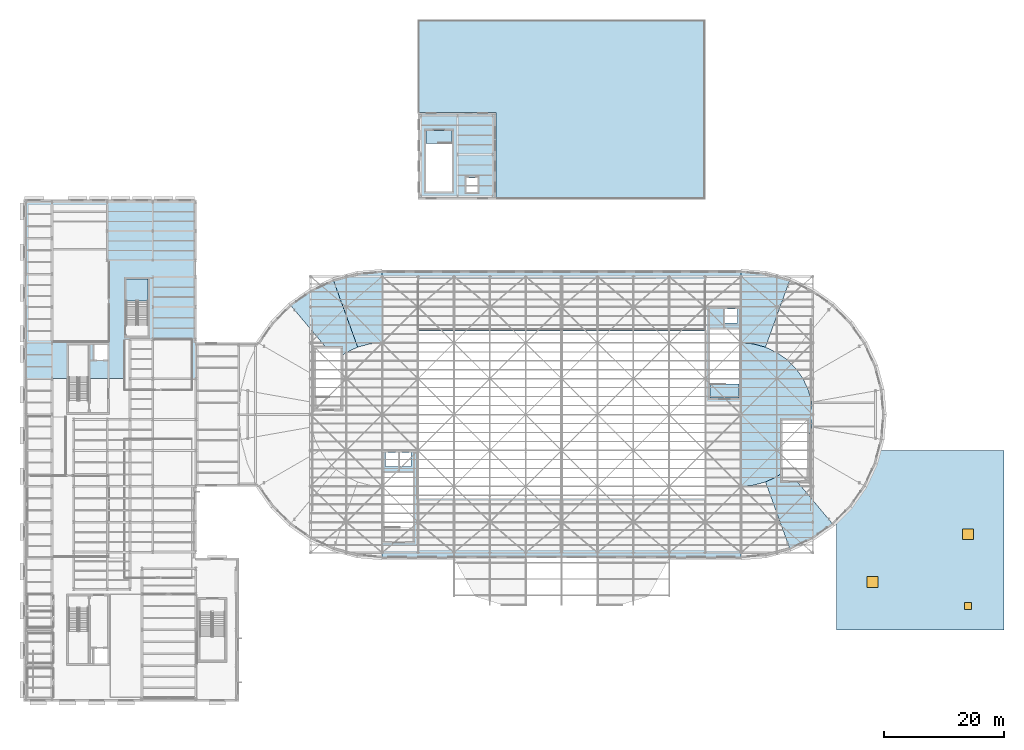
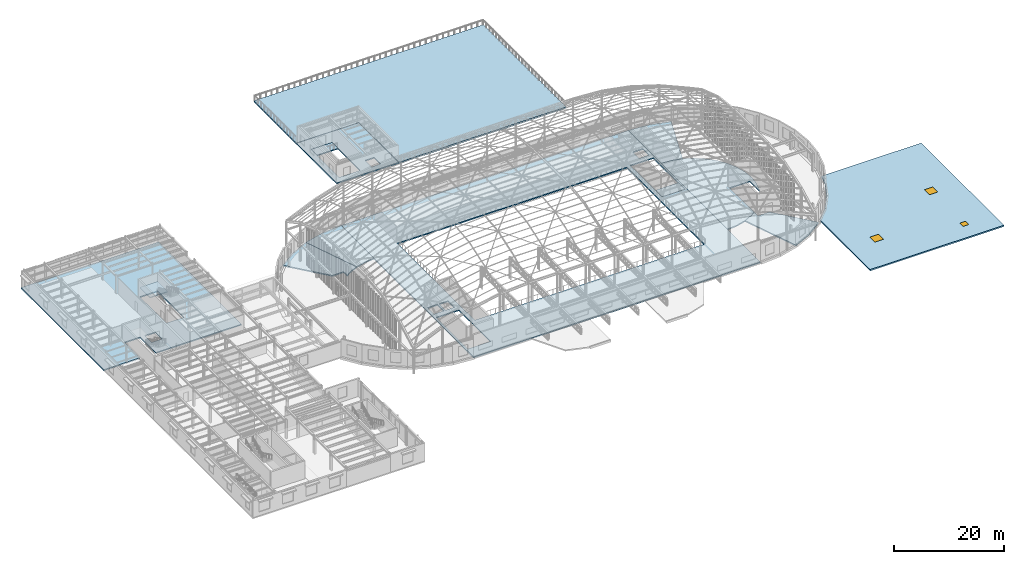
# One storey, part 57 of 75: 13 slabs, 2 windows, 1 door, 3 openings, 1 element without a shape of its own.
"""IFC4 building model written with IfcOpenShell, lengths in metres."""

import ifcopenshell
import ifcopenshell.guid

model = None  # the IFC model being written
_history = None  # IfcOwnerHistory: only IFC2X3 demands one
_inside = {}  # id of a spatial element -> (the spatial element, [elements in it])
_under = {}  # id of a project, library or spatial element -> (it, [spatial elements below it])
_declared = {}  # id of a project -> (the project, [libraries it declares])
_typed = {}  # id of a type object -> (the type object, [elements of that type])
_made_of = {}  # id of a material, layer set ... -> (it, [elements and type objects made of it])


def new_model(schema):
    """Start an empty IFC model of exactly this schema.

    Asked for "IFC4X3", IfcOpenShell would pick the latest addendum, in which some entities
    have other attributes; the version numbers below select the first issue.
    IFC2X3 requires an IfcOwnerHistory on every rooted entity: one is made here for all.
    """
    global model, _history
    if schema == "IFC4X3":
        model = ifcopenshell.file(schema_version=(4, 3, 0, 0))
    else:
        model = ifcopenshell.file(schema=schema)
    _inside.clear()
    _under.clear()
    _declared.clear()
    _typed.clear()
    _made_of.clear()
    _history = None
    if model.schema == "IFC2X3":
        org = make("IfcOrganization", Name="unknown")
        user = make(
            "IfcPersonAndOrganization",
            ThePerson=make("IfcPerson", FamilyName="unknown"),
            TheOrganization=org,
        )
        app = make(
            "IfcApplication",
            ApplicationDeveloper=org,
            Version="unknown",
            ApplicationFullName="unknown",
            ApplicationIdentifier="unknown",
        )
        _history = make(
            "IfcOwnerHistory",
            OwningUser=user,
            OwningApplication=app,
            ChangeAction="ADDED",
            CreationDate=0,
        )
    return model


def make(cls, **values):
    """One entity of the class cls with the attributes given. An attribute that is None is left unset."""
    return model.create_entity(
        cls, **{name: value for name, value in values.items() if value is not None}
    )


def rooted(cls, **values):
    """An entity with a GlobalId (a new one), such as an element, a storey or a relation."""
    return make(cls, GlobalId=ifcopenshell.guid.new(), OwnerHistory=_history, **values)


def si_unit(unit_type, name, prefix=None):
    """IfcSIUnit, for example si_unit("LENGTHUNIT", "METRE", prefix="MILLI")."""
    return make("IfcSIUnit", UnitType=unit_type, Prefix=prefix, Name=name)


def assignment(units):
    """IfcUnitAssignment: the units of a project."""
    return None if units is None else make("IfcUnitAssignment", Units=units)


def point(xyz):
    """IfcCartesianPoint."""
    return None if xyz is None else make("IfcCartesianPoint", Coordinates=xyz)


def direction(xyz):
    """IfcDirection."""
    return None if xyz is None else make("IfcDirection", DirectionRatios=xyz)


def frame(location, z_axis=None, x_axis=None):
    """IfcAxis2Placement3D, a coordinate frame: its origin and axes. An axis left out is left unset."""
    return make(
        "IfcAxis2Placement3D",
        Location=point(location),
        Axis=direction(z_axis),
        RefDirection=direction(x_axis),
    )


def frame_2d(location, x_axis=None):
    """IfcAxis2Placement2D, a coordinate frame in the plane: its origin and x axis."""
    return make(
        "IfcAxis2Placement2D", Location=point(location), RefDirection=direction(x_axis)
    )


def origin():
    """The frame at (0, 0, 0) with its axes left unset."""
    return frame((0.0, 0.0, 0.0))


def origin_2d():
    """The frame at (0, 0) in the plane with its x axis left unset."""
    return frame_2d((0.0, 0.0))


def place(relative_to, where):
    """IfcLocalPlacement: puts the frame where relative to a parent placement (None: the world)."""
    return make(
        "IfcLocalPlacement", PlacementRelTo=relative_to, RelativePlacement=where
    )


def context(
    kind, dimensions, precision=None, world=None, true_north=None, identifier=None
):
    """IfcGeometricRepresentationContext, for example the 3D "Model" context."""
    return make(
        "IfcGeometricRepresentationContext",
        ContextIdentifier=identifier,
        ContextType=kind,
        CoordinateSpaceDimension=dimensions,
        Precision=precision,
        WorldCoordinateSystem=world,
        TrueNorth=true_north,
    )


def subcontext(parent, identifier, kind, view, scale=None):
    """IfcGeometricRepresentationSubContext, for example "Body" below "Model"."""
    return make(
        "IfcGeometricRepresentationSubContext",
        ContextIdentifier=identifier,
        ContextType=kind,
        ParentContext=parent,
        TargetScale=scale,
        TargetView=view,
    )


def project(units=None, contexts=None):
    """IfcProject with its units and contexts."""
    return rooted(
        "IfcProject",
        Name="project",
        RepresentationContexts=contexts,
        UnitsInContext=assignment(units),
    )


def spatial(cls, under=None, at=None, **own):
    """A site, building, storey or space (cls), placed at a placement, below another one or the project."""
    s = rooted(cls, ObjectPlacement=at, **own)
    if under is not None:
        _under.setdefault(under.id(), (under, []))[1].append(s)
    return s


def polyline(points):
    """IfcPolyline through the points."""
    return make("IfcPolyline", Points=[point(p) for p in points])


def profile(cls, at=None, kind="AREA", **sizes):
    """A parametric profile (cls). Its sizes go by their IFC names, for example OverallWidth=200.0."""
    return make(cls, ProfileType=kind, Position=at, **sizes)


def rectangle(**sizes):
    """IfcRectangleProfileDef."""
    return profile("IfcRectangleProfileDef", **sizes)


def outline(outer, holes=None, kind="AREA"):
    """IfcArbitraryClosedProfileDef: a profile drawn as a closed curve; with holes, ...WithVoids."""
    if holes is None:
        return make("IfcArbitraryClosedProfileDef", ProfileType=kind, OuterCurve=outer)
    return make(
        "IfcArbitraryProfileDefWithVoids",
        ProfileType=kind,
        OuterCurve=outer,
        InnerCurves=holes,
    )


def extrude(swept, where, along, depth):
    """IfcExtrudedAreaSolid: the profile swept, set in the frame where, extruded along a direction by depth."""
    return make(
        "IfcExtrudedAreaSolid",
        SweptArea=swept,
        Position=where,
        ExtrudedDirection=direction(along),
        Depth=depth,
    )


def shape(context_of_items, identifier, shape_type, items):
    """IfcShapeRepresentation: the items that make up one representation, for example the "Body"."""
    return make(
        "IfcShapeRepresentation",
        ContextOfItems=context_of_items,
        RepresentationIdentifier=identifier,
        RepresentationType=shape_type,
        Items=items,
    )


def material(Name=None, Category=None):
    """IfcMaterial."""
    return make("IfcMaterial", Name=Name, Category=Category)


def layer(
    of_material, thickness, ventilated=None, Name=None, Category=None, Priority=None
):
    """IfcMaterialLayer: one layer of a wall or slab, of a material (None: an air gap)."""
    return make(
        "IfcMaterialLayer",
        Material=of_material,
        LayerThickness=thickness,
        IsVentilated=ventilated,
        Name=Name,
        Category=Category,
        Priority=Priority,
    )


def layer_set(layers, Name=None):
    """IfcMaterialLayerSet."""
    return make("IfcMaterialLayerSet", MaterialLayers=layers, LayerSetName=Name)


def made_of(thing, what):
    """Note that an element or type object is made of a material, layer set ...; save() writes the relation."""
    if what is not None:
        _made_of.setdefault(what.id(), (what, []))[1].append(thing)
    return thing


def type_object(cls, material=None, **own):
    """A type object (cls), such as IfcWallType, which elements share."""
    return made_of(rooted(cls, **own), material)


def element(
    cls,
    number,
    at=None,
    inside=None,
    cuts=None,
    type_object=None,
    material=None,
    context=None,
    identifier="Body",
    shape_type=None,
    held_by="IfcProductDefinitionShape",
    body=None,
    shapes=None,
    **own,
):
    """One element of the class cls, such as IfcWall. Its Tag is "e" and its number.

    at: its placement. inside: the storey or other place that contains it. cuts: it is an
    opening in that element (IfcRelVoidsElement). A single representation is given by context,
    identifier, shape_type and body (its items); several are given by shapes. held_by: the class
    of the entity that holds the representations. save() writes the other relations.
    """
    e = rooted(cls, Tag="e%d" % number, ObjectPlacement=at, **own)
    if body is not None:
        shapes = [shape(context, identifier, shape_type, body)]
    if shapes is not None:
        e.Representation = make(held_by, Representations=shapes)
    if inside is not None:
        _inside.setdefault(inside.id(), (inside, []))[1].append(e)
    if cuts is not None:
        rooted(
            "IfcRelVoidsElement", RelatingBuildingElement=cuts, RelatedOpeningElement=e
        )
    if type_object is not None:
        _typed.setdefault(type_object.id(), (type_object, []))[1].append(e)
    return made_of(e, material)


def fill(opening, filler):
    """IfcRelFillsElement: the door or window that sits in an opening."""
    return rooted(
        "IfcRelFillsElement",
        RelatingOpeningElement=opening,
        RelatedBuildingElement=filler,
    )


def aggregate(whole, parts):
    """IfcRelAggregates: a whole, such as a stair, and the parts it consists of."""
    return rooted("IfcRelAggregates", RelatingObject=whole, RelatedObjects=parts)


def save(model, path):
    """Write the relations noted so far, then the file.

    IfcRelAggregates (storeys below a building ...), IfcRelContainedInSpatialStructure (elements
    in a storey), IfcRelDefinesByType, IfcRelAssociatesMaterial and IfcRelDeclares: one each for
    every whole, place, type object, material and project.
    """
    for whole, parts in _under.values():
        aggregate(whole, parts)
    for where, things in _inside.values():
        rooted(
            "IfcRelContainedInSpatialStructure",
            RelatedElements=things,
            RelatingStructure=where,
        )
    for kind, things in _typed.values():
        rooted("IfcRelDefinesByType", RelatedObjects=things, RelatingType=kind)
    for what, things in _made_of.values():
        rooted("IfcRelAssociatesMaterial", RelatedObjects=things, RelatingMaterial=what)
    for by, libraries in _declared.values():
        rooted("IfcRelDeclares", RelatingContext=by, RelatedDefinitions=libraries)
    model.write(path)


model = new_model("IFC4")

# Units and contexts
model_context = context("Model", 3, precision=1e-05, world=origin(), true_north=direction((0.0, 1.0)))
body_context = subcontext(model_context, "Body", "Model", "MODEL_VIEW")
ifc_project = project(units=[si_unit("LENGTHUNIT", "METRE"), si_unit("AREAUNIT", "SQUARE_METRE"), si_unit("VOLUMEUNIT", "CUBIC_METRE"), si_unit("PLANEANGLEUNIT", "RADIAN"), si_unit("MASSUNIT", "GRAM", prefix="KILO")], contexts=[model_context])

# Site, building, storey
site_placement = place(None, origin())
site = spatial("IfcSite", under=ifc_project, at=site_placement, CompositionType="ELEMENT")
building_placement = place(site_placement, origin())
building = spatial("IfcBuilding", under=site, at=building_placement, Name="Kolvaren Corner Interchange", CompositionType="ELEMENT")
storey_placement = place(building_placement, frame((0.0, 0.0, 10.5)))
storey = spatial("IfcBuildingStorey", under=building, at=storey_placement, Name="L03", CompositionType="ELEMENT", Elevation=10.5)

# Slabs
ifc_material_1 = material(Name="Concrete C35/45", Category="concrete")
ifc_layer_1 = layer(ifc_material_1, 0.25)
ifc_layer_set_1 = layer_set([ifc_layer_1], Name="Concrete C35/45")
slab_type_1 = type_object("IfcSlabType", Name="SL-COMP-250", PredefinedType="FLOOR", material=ifc_layer_set_1)
slab_1_placement = place(storey_placement, frame((0.0, 0.0, -0.25)))
element("IfcSlab", 1, at=slab_1_placement, inside=storey, type_object=slab_type_1, Name="Level 03 Administration North West Floor Slab", PredefinedType="FLOOR", context=body_context, shape_type="SweptSolid", body=[
    extrude(outline(polyline([(0.0, 54.0), (7.550048828125, 54.0), (7.550048828125, 59.64990234375), (10.85009765625, 59.64990234375), (10.85009765625, 54.0), (28.800048828125, 54.0), (28.800048828125, 84.0), (0.0, 84.0), (0.0, 54.0)]), holes=[polyline([(20.85009765625, 61.10009765625), (17.14990234375, 61.10009765625), (17.14990234375, 70.699951171875), (20.85009765625, 70.699951171875), (20.85009765625, 61.10009765625)]), polyline([(11.800048828125, 59.64990234375), (14.050048828125, 59.64990234375), (14.050048828125, 57.14990234375), (11.800048828125, 57.14990234375), (11.800048828125, 59.64990234375)])]), origin(), (0.0, 0.0, 1.0), 0.25),
])
slab_2_placement = place(storey_placement, frame((0.0, 0.0, -0.25)))
element("IfcSlab", 2, at=slab_2_placement, inside=storey, type_object=slab_type_1, Name="Level 03 Cycle Roof Terrace Pavilion Floor Slab", PredefinedType="FLOOR", context=body_context, shape_type="SweptSolid", body=[
    extrude(outline(polyline([(66.0, 84.0), (79.0, 84.0), (79.0, 98.5), (66.0, 98.5), (66.0, 84.0)]), holes=[polyline([(67.300048828125, 95.5), (71.699951171875, 95.5), (71.699951171875, 85.300048828125), (67.300048828125, 85.300048828125), (67.300048828125, 95.5)]), polyline([(74.050048828125, 87.60009765625), (75.949951171875, 87.60009765625), (75.949951171875, 85.199951171875), (74.050048828125, 85.199951171875), (74.050048828125, 87.60009765625)])]), origin(), (0.0, 0.0, 1.0), 0.25),
])
slab_3_placement = place(storey_placement, frame((0.0, 0.0, -0.25)))
element("IfcSlab", 3, at=slab_3_placement, inside=storey, type_object=slab_type_1, Name="Level 03 Sky Waiting Gallery Spine Slab", PredefinedType="FLOOR", context=body_context, shape_type="SweptSolid", body=[
    extrude(outline(polyline([(60.0, 24.0), (120.0, 24.0), (120.0, 72.0), (60.0, 72.0), (60.0, 24.0)]), holes=[polyline([(60.35009765625, 38.25), (65.14990234375, 38.25), (65.14990234375, 26.75), (60.35009765625, 26.75), (60.35009765625, 38.25)]), polyline([(119.64990234375, 62.25), (119.64990234375, 50.75), (114.85009765625, 50.75), (114.85009765625, 62.25), (119.64990234375, 62.25)]), polyline([(62.64990234375, 41.64990234375), (62.64990234375, 39.35009765625), (60.550048828125, 39.35009765625), (60.550048828125, 41.64990234375), (62.64990234375, 41.64990234375)]), polyline([(64.85009765625, 39.35009765625), (62.949951171875, 39.35009765625), (62.949951171875, 41.64990234375), (64.85009765625, 41.64990234375), (64.85009765625, 39.35009765625)]), polyline([(117.35009765625, 63.35009765625), (117.35009765625, 65.64990234375), (119.449951171875, 65.64990234375), (119.449951171875, 63.35009765625), (117.35009765625, 63.35009765625)]), polyline([(114.0, 62.0), (114.0, 34.0), (66.0, 34.0), (66.0, 62.0), (114.0, 62.0)])]), origin(), (0.0, 0.0, 1.0), 0.25),
])
slab_4_placement = place(storey_placement, frame((0.0, 0.0, -0.25)))
element("IfcSlab", 4, at=slab_4_placement, inside=storey, type_object=slab_type_1, Name="Level 03 Racetrack West Sky Gallery Radial Slab 01", PredefinedType="FLOOR", context=body_context, shape_type="SweptSolid", body=[
    extrude(outline(polyline([(55.83251953125, 71.635498046875), (51.79150390625, 70.552490234375), (55.895751953125, 59.2763671875), (57.916259765625, 59.817626953125), (60.0, 60.0), (60.0, 72.0), (55.83251953125, 71.635498046875)])), origin(), (0.0, 0.0, 1.0), 0.25),
])
slab_5_placement = place(storey_placement, frame((0.0, 0.0, -0.25)))
element("IfcSlab", 5, at=slab_5_placement, inside=storey, type_object=slab_type_1, Name="Level 03 Racetrack West Sky Gallery Radial Slab 02", PredefinedType="FLOOR", context=body_context, shape_type="SweptSolid", body=[
    extrude(outline(polyline([(51.751953125, 70.5341796875), (48.0, 68.784423828125), (44.60888671875, 66.41015625), (44.592041015625, 66.372802734375), (50.679443359375, 59.10888671875), (53.10009765625, 59.10009765625), (53.10009765625, 57.839111328125), (53.14453125, 57.79931640625), (54.0, 58.392333984375), (55.862548828125, 59.2607421875), (55.88525390625, 59.302978515625), (51.806396484375, 70.51171875), (51.751953125, 70.5341796875)])), origin(), (0.0, 0.0, 1.0), 0.25),
])
slab_6_placement = place(storey_placement, frame((0.0, 0.0, -0.25)))
element("IfcSlab", 6, at=slab_6_placement, inside=storey, type_object=slab_type_1, Name="Level 03 Racetrack East Inner Sky Gallery Slab", PredefinedType="FLOOR", context=body_context, shape_type="SweptSolid", body=[
    extrude(outline(polyline([(126.0, 37.607666015625), (126.89990234375, 38.23779296875), (126.89990234375, 47.10009765625), (131.10009765625, 47.10009765625), (131.10009765625, 43.517578125), (131.2763671875, 43.895751953125), (131.817626953125, 45.916259765625), (132.0, 48.0), (131.817626953125, 50.083740234375), (131.2763671875, 52.104248046875), (130.392333984375, 54.0), (129.1923828125, 55.71337890625), (127.71337890625, 57.1923828125), (126.0, 58.392333984375), (124.104248046875, 59.2763671875), (122.083740234375, 59.817626953125), (120.0, 60.0), (120.0, 36.0), (122.083740234375, 36.182373046875), (124.104248046875, 36.7236328125), (126.0, 37.607666015625)])), origin(), (0.0, 0.0, 1.0), 0.25),
])
slab_7_placement = place(storey_placement, frame((0.0, 0.0, -0.25)))
element("IfcSlab", 7, at=slab_7_placement, inside=storey, type_object=slab_type_1, Name="Level 03 Racetrack East Sky Gallery Radial Slab 02", PredefinedType="FLOOR", context=body_context, shape_type="SweptSolid", body=[
    extrude(outline(polyline([(126.837158203125, 38.19384765625), (126.0, 37.607666015625), (124.137451171875, 36.7392578125), (124.11474609375, 36.697021484375), (128.193603515625, 25.48828125), (128.23681640625, 25.46240234375), (132.0, 27.215576171875), (135.39111328125, 29.58984375), (135.407958984375, 29.627197265625), (129.320556640625, 36.89111328125), (126.89990234375, 36.89990234375), (126.89990234375, 38.160888671875), (126.87841796875, 38.196533203125), (126.837158203125, 38.19384765625)])), origin(), (0.0, 0.0, 1.0), 0.25),
])
slab_8_placement = place(storey_placement, frame((0.0, 0.0, -0.25)))
element("IfcSlab", 8, at=slab_8_placement, inside=storey, type_object=slab_type_1, Name="Level 03 Racetrack East Sky Gallery Radial Slab 09", PredefinedType="FLOOR", context=body_context, shape_type="SweptSolid", body=[
    extrude(outline(polyline([(124.16748046875, 71.635498046875), (120.0, 72.0), (120.0, 60.0), (122.083740234375, 59.817626953125), (124.104248046875, 59.2763671875), (128.20849609375, 70.552490234375), (124.16748046875, 71.635498046875)])), origin(), (0.0, 0.0, 1.0), 0.25),
])

# Slab, openings, door, windows
ifc_material_2 = material(Name="Concrete C35/45", Category="concrete")
ifc_layer_2 = layer(ifc_material_2, 0.300048828125)
ifc_layer_set_2 = layer_set([ifc_layer_2], Name="Concrete C35/45")
slab_type_2 = type_object("IfcSlabType", Name="SL-ROOF-300", PredefinedType="ROOF", material=ifc_layer_set_2)
slab_9_placement = place(storey_placement, frame((0.0, 0.0, -0.300048828125)))
slab_9 = element("IfcSlab", 9, at=slab_9_placement, inside=storey, type_object=slab_type_2, Name="Bus Dispatch Lounge Insulated Flat Roof Slab", PredefinedType="ROOF", context=body_context, shape_type="SweptSolid", body=[
    extrude(outline(polyline([(164.0, 12.0), (164.0, 42.0), (143.1650390625, 42.0), (142.5712890625, 39.78466796875), (140.802001953125, 35.989990234375), (138.400390625, 32.560302734375), (136.0, 30.159912109375), (136.0, 12.0), (164.0, 12.0)])), origin(), (0.0, 0.0, 1.0), 0.300048828125),
])
opening_1_placement = place(slab_9_placement, frame((142.0, 20.0, 0.0)))
opening_1 = element("IfcOpeningElement", 10, at=opening_1_placement, cuts=slab_9, Name="Opening SK-02", PredefinedType="OPENING", context=body_context, shape_type="SweptSolid", body=[
    extrude(rectangle(XDim=1.800048828125, YDim=1.800048828125, at=origin_2d()), origin(), (0.0, 0.0, 1.0), 0.300048828125),
])
opening_2_placement = place(slab_9_placement, frame((158.0, 28.0, 0.0)))
opening_2 = element("IfcOpeningElement", 11, at=opening_2_placement, cuts=slab_9, Name="Opening SK-02", PredefinedType="OPENING", context=body_context, shape_type="SweptSolid", body=[
    extrude(rectangle(XDim=1.800048828125, YDim=1.800048828125, at=origin_2d()), origin(), (0.0, 0.0, 1.0), 0.300048828125),
])
opening_3_placement = place(slab_9_placement, frame((158.0, 16.0, 0.0)))
opening_3 = element("IfcOpeningElement", 12, at=opening_3_placement, cuts=slab_9, Name="Opening D-H01", PredefinedType="OPENING", context=body_context, shape_type="SweptSolid", body=[
    extrude(rectangle(XDim=1.199951171875, YDim=1.199951171875, at=origin_2d()), origin(), (0.0, 0.0, 1.0), 0.300048828125),
])
ifc_material_3 = material(Name="Insulated Powder-Coated Aluminium Roof Hatch", Category="aluminium")
door_type = type_object("IfcDoorType", Name="DT-HATCH-1200", OperationType="NOTDEFINED", PredefinedType="TRAPDOOR", material=ifc_material_3)
door_placement = place(opening_3_placement, frame((0.0, 0.0, 0.25)))
door = element("IfcDoor", 13, at=door_placement, inside=storey, type_object=door_type, Name="Bus Lounge Roof Maintenance Access Hatch 03", OperationType="SINGLE_SWING_LEFT", OverallHeight=1.199951171875, OverallWidth=1.199951171875, PredefinedType="TRAPDOOR", context=body_context, shape_type="SweptSolid", body=[
    extrude(rectangle(XDim=1.199951171875, YDim=1.199951171875, at=origin_2d()), origin(), (0.0, 0.0, 1.0), 0.050048828125),
])
fill(opening_3, door)
ifc_material_4 = material(Name="Thermally Broken Aluminium and Solar-Control Double Glazing", Category="aluminium")
window_type = type_object("IfcWindowType", Name="WT-SKY-1800x1800", PartitioningType="SINGLE_PANEL", PredefinedType="SKYLIGHT", material=ifc_material_4)
window_1_placement = place(opening_1_placement, frame((0.0, 0.0, 0.25)))
window_1 = element("IfcWindow", 14, at=window_1_placement, inside=storey, type_object=window_type, Name="Bus Lounge Roof Skylight 08", OverallHeight=1.800048828125, OverallWidth=1.800048828125, PartitioningType="SINGLE_PANEL", PredefinedType="SKYLIGHT", context=body_context, shape_type="SweptSolid", body=[
    extrude(rectangle(XDim=1.800048828125, YDim=1.800048828125, at=origin_2d()), origin(), (0.0, 0.0, 1.0), 0.050048828125),
])
fill(opening_1, window_1)
window_2_placement = place(opening_2_placement, frame((0.0, 0.0, 0.25)))
window_2 = element("IfcWindow", 15, at=window_2_placement, inside=storey, type_object=window_type, Name="Bus Lounge Roof Skylight 09", OverallHeight=1.800048828125, OverallWidth=1.800048828125, PartitioningType="SINGLE_PANEL", PredefinedType="SKYLIGHT", context=body_context, shape_type="SweptSolid", body=[
    extrude(rectangle(XDim=1.800048828125, YDim=1.800048828125, at=origin_2d()), origin(), (0.0, 0.0, 1.0), 0.050048828125),
])
fill(opening_2, window_2)

# Slabs
ifc_material_5 = material(Name="Concrete C35/45", Category="concrete")
ifc_layer_3 = layer(ifc_material_5, 0.199951171875)
ifc_layer_set_3 = layer_set([ifc_layer_3], Name="Concrete C35/45")
slab_type_3 = type_object("IfcSlabType", Name="SL-STAIR-LAND200", PredefinedType="LANDING", material=ifc_layer_set_3)
slab_10_placement = place(storey_placement, frame((0.0, 0.0, -0.199951171875)))
element("IfcSlab", 16, at=slab_10_placement, inside=storey, type_object=slab_type_3, Name="Core C4 East Concourse Transfer Stair L03 Floor Arrival Landing Slab", PredefinedType="LANDING", context=body_context, shape_type="SweptSolid", body=[
    extrude(outline(polyline([(119.64990234375, 50.75), (119.64990234375, 53.14990234375), (114.85009765625, 53.14990234375), (114.85009765625, 50.75), (119.64990234375, 50.75)])), origin(), (0.0, 0.0, 1.0), 0.199951171875),
])
slab_11_placement = place(storey_placement, frame((0.0, 0.0, -0.199951171875)))
element("IfcSlab", 17, at=slab_11_placement, inside=storey, type_object=slab_type_3, Name="Cycle Hub West Pavilion Exit Stair L03 Floor Arrival Landing Slab", PredefinedType="LANDING", context=body_context, shape_type="SweptSolid", body=[
    extrude(outline(polyline([(67.300048828125, 95.5), (67.300048828125, 93.35009765625), (71.699951171875, 93.35009765625), (71.699951171875, 95.5), (67.300048828125, 95.5)])), origin(), (0.0, 0.0, 1.0), 0.199951171875),
])

# Stair, slab
ifc_material_6 = material(Name="Concrete C35/45", Category="concrete")
stair_type = type_object("IfcStairType", Name="ST-OP-1750", PredefinedType="HALF_TURN_STAIR", material=ifc_material_6)
stair_placement = place(storey_placement, origin())
stair = element("IfcStair", 18, at=stair_placement, inside=storey, type_object=stair_type, Name="Operations North Wing Protected Exit Stair L03 to L04 Stair", PredefinedType="HALF_TURN_STAIR")
slab_12_placement = place(storey_placement, frame((0.0, 0.0, 1.89990234375)))
slab_12 = element("IfcSlab", 19, at=slab_12_placement, type_object=slab_type_3, Name="Operations North Wing Protected Exit Stair L03 Intermediate Half Landing Slab", PredefinedType="LANDING", context=body_context, shape_type="SweptSolid", body=[
    extrude(outline(polyline([(20.85009765625, 67.030029296875), (20.85009765625, 70.699951171875), (17.14990234375, 70.699951171875), (17.14990234375, 67.030029296875), (20.85009765625, 67.030029296875)])), origin(), (0.0, 0.0, 1.0), 0.2001953125),
])
aggregate(stair, [slab_12])

# Slab
ifc_material_7 = material(Name="Planted Garden Concrete C35/45", Category="concrete")
ifc_layer_4 = layer(ifc_material_7, 0.320068359375)
ifc_layer_set_4 = layer_set([ifc_layer_4], Name="Planted Garden Concrete C35/45")
slab_type_4 = type_object("IfcSlabType", Name="SL-TERR-320", PredefinedType="ROOF", material=ifc_layer_set_4)
slab_13_placement = place(storey_placement, frame((0.0, 0.0, -0.320068359375)))
element("IfcSlab", 20, at=slab_13_placement, inside=storey, type_object=slab_type_4, Name="Level 03 Cycle Hub Roof Garden Terrace Slab", PredefinedType="ROOF", context=body_context, shape_type="SweptSolid", body=[
    extrude(outline(polyline([(114.0, 114.0), (66.0, 114.0), (66.0, 98.5400390625), (79.0400390625, 98.5400390625), (79.0400390625, 84.0), (114.0, 84.0), (114.0, 114.0)])), origin(), (0.0, 0.0, 1.0), 0.320068359375),
])

save(model, "model.ifc")
